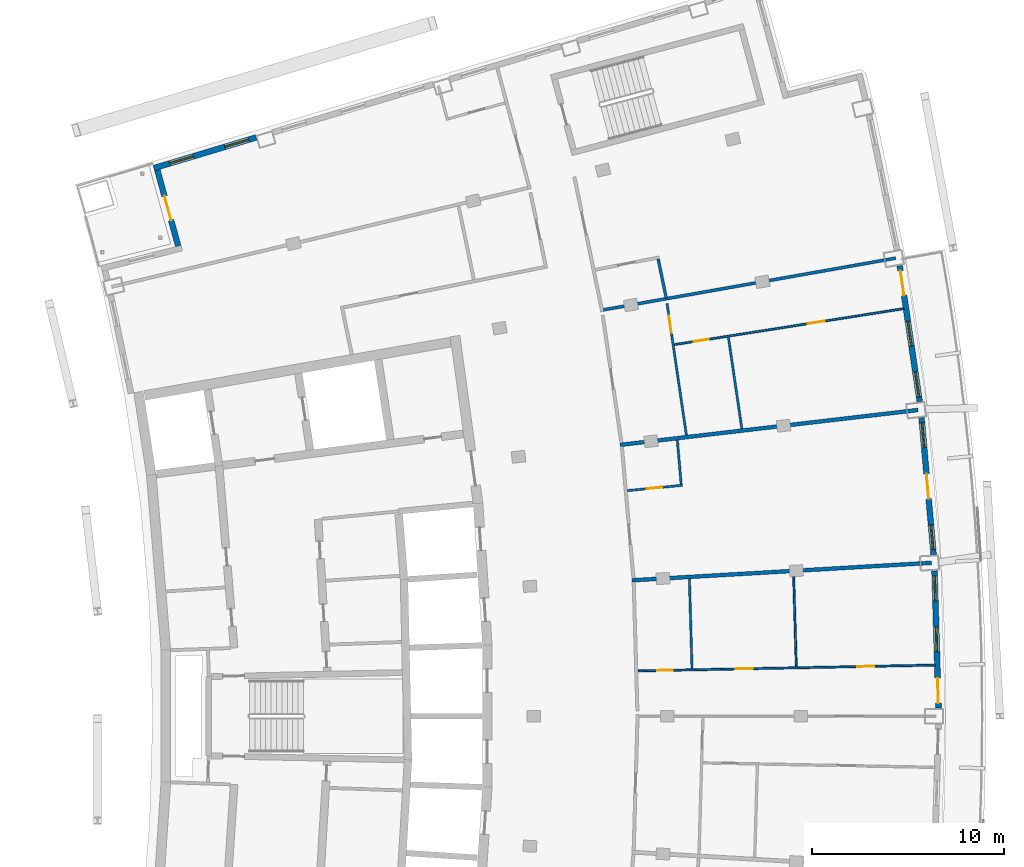
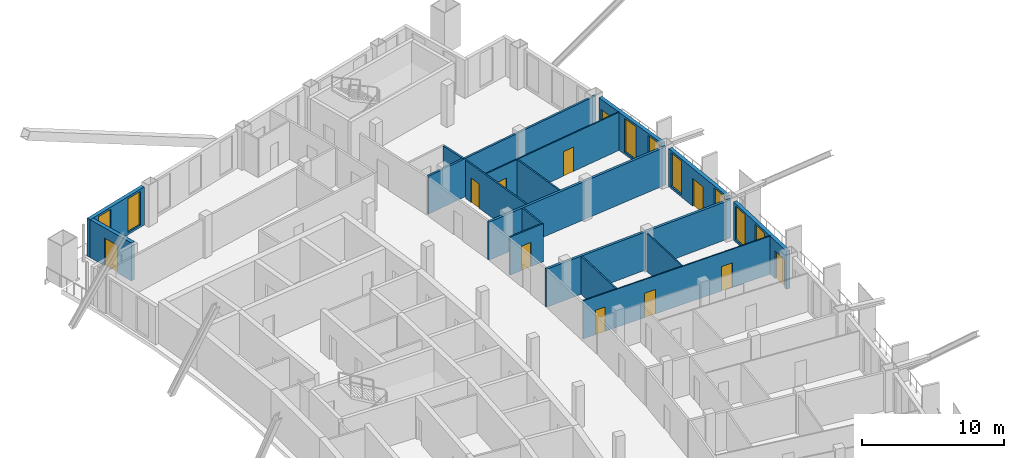
# One storey, part 12 of 17: 17 walls, 11 doors, 8 windows, 19 openings.
"""IFC4 building model written with IfcOpenShell, lengths in metres."""

from ifc_helpers import new_model, si_unit, direction, frame, frame_2d, origin, place, context, subcontext, project, spatial, rectangle, extrude, material, layer, layer_set, type_object, element, fill, save


model = new_model("IFC4")

# Units and contexts
model_context = context("Model", 3, precision=1e-05, world=origin(), true_north=direction((0.0, 1.0)))
body_context = subcontext(model_context, "Body", "Model", "MODEL_VIEW")
ifc_project = project(units=[si_unit("LENGTHUNIT", "METRE"), si_unit("AREAUNIT", "SQUARE_METRE"), si_unit("VOLUMEUNIT", "CUBIC_METRE"), si_unit("PLANEANGLEUNIT", "RADIAN"), si_unit("MASSUNIT", "GRAM", prefix="KILO")], contexts=[model_context])

# Site, building, storey
site_placement = place(None, origin())
site = spatial("IfcSite", under=ifc_project, at=site_placement, CompositionType="ELEMENT")
building_placement = place(site_placement, origin())
building = spatial("IfcBuilding", under=site, at=building_placement, Name="Alderwake Tower", CompositionType="ELEMENT")
storey_placement = place(building_placement, frame((0.0, 0.0, 256.39990234375)))
storey = spatial("IfcBuildingStorey", under=building, at=storey_placement, Name="L63", CompositionType="ELEMENT", Elevation=256.39990234375)

# Wall
ifc_material_1 = material(Name="Gypsum board on metal studs, rated")
ifc_layer_1 = layer(ifc_material_1, 0.159912109375)
ifc_layer_set_1 = layer_set([ifc_layer_1], Name="Corridor wall 160")
wall_type_1 = type_object("IfcWallType", Name="Corridor wall 160", PredefinedType="PARTITIONING", material=ifc_layer_set_1)
wall_1_placement = place(storey_placement, frame((54.612060546875, 84.801025390625, 0.0), z_axis=(0.0, 0.0, 1.0), x_axis=(-0.984713831022, -0.174179995963, 0.0)))
element("IfcWall", 1, at=wall_1_placement, inside=storey, type_object=wall_type_1, Name="WL/L63/W27", PredefinedType="PARTITIONING", context=body_context, shape_type="SweptSolid", body=[
    extrude(rectangle(XDim=15.421142578125, YDim=0.159912109375, at=frame_2d((7.71044921875, 0.0))), origin(), (0.0, 0.0, 1.0), 3.280029296875),
])

# Wall, openings, door, windows
ifc_material_2 = material(Name="Precast concrete C50/60 spandrel panel", Category="concrete")
ifc_layer_2 = layer(ifc_material_2, 0.300048828125)
ifc_layer_set_2 = layer_set([ifc_layer_2], Name="External wall EW1 Precast concrete C50/60 spandrel")
wall_type_2 = type_object("IfcWallType", Name="External wall EW1 Precast concrete C50/60 spandrel", PredefinedType="SOLIDWALL", material=ifc_layer_set_2)
wall_2_placement = place(storey_placement, frame((56.837646484375, 61.42138671875, 0.0), z_axis=(0.0, 0.0, 1.0), x_axis=(-0.029172920449, 0.99957437978, 0.0)))
wall_2 = element("IfcWall", 2, at=wall_2_placement, inside=storey, type_object=wall_type_2, Name="External wall 16", PredefinedType="SOLIDWALL", context=body_context, shape_type="SweptSolid", body=[
    extrude(rectangle(XDim=7.138427734375, YDim=0.300048828125, at=frame_2d((3.5693359375, 0.0))), origin(), (0.0, 0.0, 1.0), 3.280029296875),
])
opening_1_placement = place(wall_2_placement, frame((0.263427734375, 0.0, 0.0)))
opening_1 = element("IfcOpeningElement", 3, at=opening_1_placement, cuts=wall_2, Name="Opening D06", PredefinedType="OPENING", context=body_context, shape_type="SweptSolid", body=[
    extrude(rectangle(XDim=1.300048828125, YDim=2.39990234375, at=frame_2d((0.64990234375, 1.199951171875))), frame((0.0, 0.159912109375, 0.0), z_axis=(0.0, -1.0, 0.0), x_axis=(1.0, 0.0, 0.0)), (0.0, 0.0, 1.0), 0.320068359375),
])
opening_2_placement = place(wall_2_placement, frame((2.919189453125, 0.0, 0.199951171875)))
opening_2 = element("IfcOpeningElement", 4, at=opening_2_placement, cuts=wall_2, Name="Opening W1", PredefinedType="OPENING", context=body_context, shape_type="SweptSolid", body=[
    extrude(rectangle(XDim=1.300048828125, YDim=2.89990234375, at=frame_2d((0.64990234375, 1.449951171875))), frame((0.0, 0.159912109375, 0.0), z_axis=(0.0, -1.0, 0.0), x_axis=(1.0, 0.0, 0.0)), (0.0, 0.0, 1.0), 0.320068359375),
])
opening_3_placement = place(wall_2_placement, frame((5.574951171875, 0.0, 0.199951171875)))
opening_3 = element("IfcOpeningElement", 5, at=opening_3_placement, cuts=wall_2, Name="Opening W1", PredefinedType="OPENING", context=body_context, shape_type="SweptSolid", body=[
    extrude(rectangle(XDim=1.300048828125, YDim=2.89990234375, at=frame_2d((0.64990234375, 1.449951171875))), frame((0.0, 0.159912109375, 0.0), z_axis=(0.0, -1.0, 0.0), x_axis=(1.0, 0.0, 0.0)), (0.0, 0.0, 1.0), 0.320068359375),
])
ifc_material_3 = material(Name="Bronze tinted glass in aluminium frame", Category="aluminium")
door_type_1 = type_object("IfcDoorType", Name="Balcony door BD sliding", OperationType="SLIDING_TO_LEFT", PredefinedType="DOOR", material=ifc_material_3)
door_1_placement = place(opening_1_placement, origin())
door_1 = element("IfcDoor", 6, at=door_1_placement, inside=storey, type_object=door_type_1, Name="Door D06", OperationType="SLIDING_TO_LEFT", OverallHeight=2.39990234375, OverallWidth=1.300048828125, PredefinedType="DOOR", context=body_context, shape_type="SweptSolid", body=[
    extrude(rectangle(XDim=1.300048828125, YDim=2.39990234375, at=frame_2d((0.64990234375, 1.199951171875))), frame((0.0, 0.02490234375, 0.0), z_axis=(0.0, -1.0, 0.0), x_axis=(1.0, 0.0, 0.0)), (0.0, 0.0, 1.0), 0.050048828125),
])
fill(opening_1, door_1)
ifc_material_4 = material(Name="Bronze tinted glass in aluminium frame", Category="aluminium")
window_type = type_object("IfcWindowType", Name="Window W1 tall fixed and vent", PartitioningType="DOUBLE_PANEL_VERTICAL", PredefinedType="WINDOW", material=ifc_material_4)
window_1_placement = place(opening_2_placement, origin())
window_1 = element("IfcWindow", 7, at=window_1_placement, inside=storey, type_object=window_type, Name="Window W1 tall fixed and vent", OverallHeight=2.89990234375, OverallWidth=1.300048828125, PartitioningType="DOUBLE_PANEL_VERTICAL", PredefinedType="WINDOW", context=body_context, shape_type="SweptSolid", body=[
    extrude(rectangle(XDim=1.300048828125, YDim=2.89990234375, at=frame_2d((0.64990234375, 1.449951171875))), frame((0.0, 0.030029296875, 0.0), z_axis=(0.0, -1.0, 0.0), x_axis=(1.0, 0.0, 0.0)), (0.0, 0.0, 1.0), 0.06005859375),
])
fill(opening_2, window_1)
window_2_placement = place(opening_3_placement, origin())
window_2 = element("IfcWindow", 8, at=window_2_placement, inside=storey, type_object=window_type, Name="Window W1 tall fixed and vent", OverallHeight=2.89990234375, OverallWidth=1.300048828125, PartitioningType="DOUBLE_PANEL_VERTICAL", PredefinedType="WINDOW", context=body_context, shape_type="SweptSolid", body=[
    extrude(rectangle(XDim=1.300048828125, YDim=2.89990234375, at=frame_2d((0.64990234375, 1.449951171875))), frame((0.0, 0.030029296875, 0.0), z_axis=(0.0, -1.0, 0.0), x_axis=(1.0, 0.0, 0.0)), (0.0, 0.0, 1.0), 0.06005859375),
])
fill(opening_3, window_2)

wall_3_placement = place(storey_placement, frame((56.580322265625, 69.3984375, 0.0), z_axis=(0.0, 0.0, 1.0), x_axis=(-0.087383747715, 0.996174723949, 0.0)))
wall_3 = element("IfcWall", 9, at=wall_3_placement, inside=storey, type_object=wall_type_2, Name="External wall 17", PredefinedType="SOLIDWALL", context=body_context, shape_type="SweptSolid", body=[
    extrude(rectangle(XDim=7.138427734375, YDim=0.300048828125, at=frame_2d((3.5693359375, 0.0))), origin(), (0.0, 0.0, 1.0), 3.280029296875),
])
opening_4_placement = place(wall_3_placement, frame((0.263427734375, 0.0, 0.199951171875)))
opening_4 = element("IfcOpeningElement", 10, at=opening_4_placement, cuts=wall_3, Name="Opening W1", PredefinedType="OPENING", context=body_context, shape_type="SweptSolid", body=[
    extrude(rectangle(XDim=1.300048828125, YDim=2.89990234375, at=frame_2d((0.64990234375, 1.449951171875))), frame((0.0, 0.159912109375, 0.0), z_axis=(0.0, -1.0, 0.0), x_axis=(1.0, 0.0, 0.0)), (0.0, 0.0, 1.0), 0.320068359375),
])
opening_5_placement = place(wall_3_placement, frame((2.919189453125, 0.0, 0.0)))
opening_5 = element("IfcOpeningElement", 11, at=opening_5_placement, cuts=wall_3, Name="Opening D07", PredefinedType="OPENING", context=body_context, shape_type="SweptSolid", body=[
    extrude(rectangle(XDim=1.300048828125, YDim=2.39990234375, at=frame_2d((0.64990234375, 1.199951171875))), frame((0.0, 0.159912109375, 0.0), z_axis=(0.0, -1.0, 0.0), x_axis=(1.0, 0.0, 0.0)), (0.0, 0.0, 1.0), 0.320068359375),
])
opening_6_placement = place(wall_3_placement, frame((5.574951171875, 0.0, 0.199951171875)))
opening_6 = element("IfcOpeningElement", 12, at=opening_6_placement, cuts=wall_3, Name="Opening W1", PredefinedType="OPENING", context=body_context, shape_type="SweptSolid", body=[
    extrude(rectangle(XDim=1.300048828125, YDim=2.89990234375, at=frame_2d((0.64990234375, 1.449951171875))), frame((0.0, 0.159912109375, 0.0), z_axis=(0.0, -1.0, 0.0), x_axis=(1.0, 0.0, 0.0)), (0.0, 0.0, 1.0), 0.320068359375),
])
door_2_placement = place(opening_5_placement, origin())
door_2 = element("IfcDoor", 13, at=door_2_placement, inside=storey, type_object=door_type_1, Name="Door D07", OperationType="SLIDING_TO_LEFT", OverallHeight=2.39990234375, OverallWidth=1.300048828125, PredefinedType="DOOR", context=body_context, shape_type="SweptSolid", body=[
    extrude(rectangle(XDim=1.300048828125, YDim=2.39990234375, at=frame_2d((0.64990234375, 1.199951171875))), frame((0.0, 0.02490234375, 0.0), z_axis=(0.0, -1.0, 0.0), x_axis=(1.0, 0.0, 0.0)), (0.0, 0.0, 1.0), 0.050048828125),
])
fill(opening_5, door_2)
window_3_placement = place(opening_4_placement, origin())
window_3 = element("IfcWindow", 14, at=window_3_placement, inside=storey, type_object=window_type, Name="Window W1 tall fixed and vent", OverallHeight=2.89990234375, OverallWidth=1.300048828125, PartitioningType="DOUBLE_PANEL_VERTICAL", PredefinedType="WINDOW", context=body_context, shape_type="SweptSolid", body=[
    extrude(rectangle(XDim=1.300048828125, YDim=2.89990234375, at=frame_2d((0.64990234375, 1.449951171875))), frame((0.0, 0.030029296875, 0.0), z_axis=(0.0, -1.0, 0.0), x_axis=(1.0, 0.0, 0.0)), (0.0, 0.0, 1.0), 0.06005859375),
])
fill(opening_4, window_3)
window_4_placement = place(opening_6_placement, origin())
window_4 = element("IfcWindow", 15, at=window_4_placement, inside=storey, type_object=window_type, Name="Window W1 tall fixed and vent", OverallHeight=2.89990234375, OverallWidth=1.300048828125, PartitioningType="DOUBLE_PANEL_VERTICAL", PredefinedType="WINDOW", context=body_context, shape_type="SweptSolid", body=[
    extrude(rectangle(XDim=1.300048828125, YDim=2.89990234375, at=frame_2d((0.64990234375, 1.449951171875))), frame((0.0, 0.030029296875, 0.0), z_axis=(0.0, -1.0, 0.0), x_axis=(1.0, 0.0, 0.0)), (0.0, 0.0, 1.0), 0.06005859375),
])
fill(opening_6, window_4)

wall_4_placement = place(storey_placement, frame((55.8583984375, 77.3466796875, 0.0), z_axis=(0.0, 0.0, 1.0), x_axis=(-0.145317744338, 0.98938503788, 0.0)))
wall_4 = element("IfcWall", 16, at=wall_4_placement, inside=storey, type_object=wall_type_2, Name="External wall 18", PredefinedType="SOLIDWALL", context=body_context, shape_type="SweptSolid", body=[
    extrude(rectangle(XDim=7.138427734375, YDim=0.300048828125, at=frame_2d((3.5693359375, 0.0))), origin(), (0.0, 0.0, 1.0), 3.280029296875),
])
opening_7_placement = place(wall_4_placement, frame((0.263427734375, 0.0, 0.199951171875)))
opening_7 = element("IfcOpeningElement", 17, at=opening_7_placement, cuts=wall_4, Name="Opening W1", PredefinedType="OPENING", context=body_context, shape_type="SweptSolid", body=[
    extrude(rectangle(XDim=1.300048828125, YDim=2.89990234375, at=frame_2d((0.64990234375, 1.449951171875))), frame((0.0, 0.159912109375, 0.0), z_axis=(0.0, -1.0, 0.0), x_axis=(1.0, 0.0, 0.0)), (0.0, 0.0, 1.0), 0.320068359375),
])
opening_8_placement = place(wall_4_placement, frame((2.919189453125, 0.0, 0.199951171875)))
opening_8 = element("IfcOpeningElement", 18, at=opening_8_placement, cuts=wall_4, Name="Opening W1", PredefinedType="OPENING", context=body_context, shape_type="SweptSolid", body=[
    extrude(rectangle(XDim=1.300048828125, YDim=2.89990234375, at=frame_2d((0.64990234375, 1.449951171875))), frame((0.0, 0.159912109375, 0.0), z_axis=(0.0, -1.0, 0.0), x_axis=(1.0, 0.0, 0.0)), (0.0, 0.0, 1.0), 0.320068359375),
])
opening_9_placement = place(wall_4_placement, frame((5.574951171875, 0.0, 0.0)))
opening_9 = element("IfcOpeningElement", 19, at=opening_9_placement, cuts=wall_4, Name="Opening D08", PredefinedType="OPENING", context=body_context, shape_type="SweptSolid", body=[
    extrude(rectangle(XDim=1.300048828125, YDim=2.39990234375, at=frame_2d((0.64990234375, 1.199951171875))), frame((0.0, 0.159912109375, 0.0), z_axis=(0.0, -1.0, 0.0), x_axis=(1.0, 0.0, 0.0)), (0.0, 0.0, 1.0), 0.320068359375),
])
door_3_placement = place(opening_9_placement, origin())
door_3 = element("IfcDoor", 20, at=door_3_placement, inside=storey, type_object=door_type_1, Name="Door D08", OperationType="SLIDING_TO_LEFT", OverallHeight=2.39990234375, OverallWidth=1.300048828125, PredefinedType="DOOR", context=body_context, shape_type="SweptSolid", body=[
    extrude(rectangle(XDim=1.300048828125, YDim=2.39990234375, at=frame_2d((0.64990234375, 1.199951171875))), frame((0.0, 0.02490234375, 0.0), z_axis=(0.0, -1.0, 0.0), x_axis=(1.0, 0.0, 0.0)), (0.0, 0.0, 1.0), 0.050048828125),
])
fill(opening_9, door_3)
window_5_placement = place(opening_7_placement, origin())
window_5 = element("IfcWindow", 21, at=window_5_placement, inside=storey, type_object=window_type, Name="Window W1 tall fixed and vent", OverallHeight=2.89990234375, OverallWidth=1.300048828125, PartitioningType="DOUBLE_PANEL_VERTICAL", PredefinedType="WINDOW", context=body_context, shape_type="SweptSolid", body=[
    extrude(rectangle(XDim=1.300048828125, YDim=2.89990234375, at=frame_2d((0.64990234375, 1.449951171875))), frame((0.0, 0.030029296875, 0.0), z_axis=(0.0, -1.0, 0.0), x_axis=(1.0, 0.0, 0.0)), (0.0, 0.0, 1.0), 0.06005859375),
])
fill(opening_7, window_5)
window_6_placement = place(opening_8_placement, origin())
window_6 = element("IfcWindow", 22, at=window_6_placement, inside=storey, type_object=window_type, Name="Window W1 tall fixed and vent", OverallHeight=2.89990234375, OverallWidth=1.300048828125, PartitioningType="DOUBLE_PANEL_VERTICAL", PredefinedType="WINDOW", context=body_context, shape_type="SweptSolid", body=[
    extrude(rectangle(XDim=1.300048828125, YDim=2.89990234375, at=frame_2d((0.64990234375, 1.449951171875))), frame((0.0, 0.030029296875, 0.0), z_axis=(0.0, -1.0, 0.0), x_axis=(1.0, 0.0, 0.0)), (0.0, 0.0, 1.0), 0.06005859375),
])
fill(opening_8, window_6)

# Wall, openings, windows
ifc_material_5 = material(Name="Bronze metal cladding on lightweight framing")
ifc_layer_3 = layer(ifc_material_5, 0.300048828125)
ifc_layer_set_3 = layer_set([ifc_layer_3], Name="External wall EW2 bronze metal cladding")
wall_type_3 = type_object("IfcWallType", Name="External wall EW2 bronze metal cladding", PredefinedType="SOLIDWALL", material=ifc_layer_set_3)
wall_5_placement = place(storey_placement, frame((21.380859375, 91.072021484375, 0.0), z_axis=(0.0, 0.0, 1.0), x_axis=(-0.957769358194, -0.287537574074, 0.0)))
wall_5 = element("IfcWall", 23, at=wall_5_placement, inside=storey, type_object=wall_type_3, Name="External wall 27", PredefinedType="SOLIDWALL", context=body_context, shape_type="SweptSolid", body=[
    extrude(rectangle(XDim=5.549560546875, YDim=0.300048828125, at=frame_2d((2.77490234375, 0.0))), origin(), (0.0, 0.0, 1.0), 3.280029296875),
])
opening_10_placement = place(wall_5_placement, frame((0.3984375, 0.0, 0.199951171875)))
opening_10 = element("IfcOpeningElement", 24, at=opening_10_placement, cuts=wall_5, Name="Opening W1", PredefinedType="OPENING", context=body_context, shape_type="SweptSolid", body=[
    extrude(rectangle(XDim=1.300048828125, YDim=2.89990234375, at=frame_2d((0.64990234375, 1.449951171875))), frame((0.0, 0.159912109375, 0.0), z_axis=(0.0, -1.0, 0.0), x_axis=(1.0, 0.0, 0.0)), (0.0, 0.0, 1.0), 0.320068359375),
])
opening_11_placement = place(wall_5_placement, frame((3.399169921875, 0.0, 0.199951171875)))
opening_11 = element("IfcOpeningElement", 25, at=opening_11_placement, cuts=wall_5, Name="Opening W1", PredefinedType="OPENING", context=body_context, shape_type="SweptSolid", body=[
    extrude(rectangle(XDim=1.300048828125, YDim=2.89990234375, at=frame_2d((0.64990234375, 1.449951171875))), frame((0.0, 0.159912109375, 0.0), z_axis=(0.0, -1.0, 0.0), x_axis=(1.0, 0.0, 0.0)), (0.0, 0.0, 1.0), 0.320068359375),
])
window_7_placement = place(opening_10_placement, origin())
window_7 = element("IfcWindow", 26, at=window_7_placement, inside=storey, type_object=window_type, Name="Window W1 tall fixed and vent", OverallHeight=2.89990234375, OverallWidth=1.300048828125, PartitioningType="DOUBLE_PANEL_VERTICAL", PredefinedType="WINDOW", context=body_context, shape_type="SweptSolid", body=[
    extrude(rectangle(XDim=1.300048828125, YDim=2.89990234375, at=frame_2d((0.64990234375, 1.449951171875))), frame((0.0, 0.030029296875, 0.0), z_axis=(0.0, -1.0, 0.0), x_axis=(1.0, 0.0, 0.0)), (0.0, 0.0, 1.0), 0.06005859375),
])
fill(opening_10, window_7)
window_8_placement = place(opening_11_placement, origin())
window_8 = element("IfcWindow", 27, at=window_8_placement, inside=storey, type_object=window_type, Name="Window W1 tall fixed and vent", OverallHeight=2.89990234375, OverallWidth=1.300048828125, PartitioningType="DOUBLE_PANEL_VERTICAL", PredefinedType="WINDOW", context=body_context, shape_type="SweptSolid", body=[
    extrude(rectangle(XDim=1.300048828125, YDim=2.89990234375, at=frame_2d((0.64990234375, 1.449951171875))), frame((0.0, 0.030029296875, 0.0), z_axis=(0.0, -1.0, 0.0), x_axis=(1.0, 0.0, 0.0)), (0.0, 0.0, 1.0), 0.06005859375),
])
fill(opening_11, window_8)

# Wall, opening, door
wall_6_placement = place(storey_placement, frame((16.248779296875, 89.374755859375, 0.0), z_axis=(0.0, 0.0, 1.0), x_axis=(0.264607053468, -0.964356317579, 0.0)))
wall_6 = element("IfcWall", 28, at=wall_6_placement, inside=storey, type_object=wall_type_3, Name="External wall 28", PredefinedType="SOLIDWALL", context=body_context, shape_type="SweptSolid", body=[
    extrude(rectangle(XDim=4.090087890625, YDim=0.300048828125, at=frame_2d((2.044921875, 0.0))), origin(), (0.0, 0.0, 1.0), 3.280029296875),
])
opening_12_placement = place(wall_6_placement, frame((1.39501953125, 0.0, 0.0)))
opening_12 = element("IfcOpeningElement", 29, at=opening_12_placement, cuts=wall_6, Name="Opening D09", PredefinedType="OPENING", context=body_context, shape_type="SweptSolid", body=[
    extrude(rectangle(XDim=1.300048828125, YDim=2.39990234375, at=frame_2d((0.64990234375, 1.199951171875))), frame((0.0, 0.159912109375, 0.0), z_axis=(0.0, -1.0, 0.0), x_axis=(1.0, 0.0, 0.0)), (0.0, 0.0, 1.0), 0.320068359375),
])
door_4_placement = place(opening_12_placement, origin())
door_4 = element("IfcDoor", 30, at=door_4_placement, inside=storey, type_object=door_type_1, Name="Door D09", OperationType="SLIDING_TO_LEFT", OverallHeight=2.39990234375, OverallWidth=1.300048828125, PredefinedType="DOOR", context=body_context, shape_type="SweptSolid", body=[
    extrude(rectangle(XDim=1.300048828125, YDim=2.39990234375, at=frame_2d((0.64990234375, 1.199951171875))), frame((0.0, 0.02490234375, 0.0), z_axis=(0.0, -1.0, 0.0), x_axis=(1.0, 0.0, 0.0)), (0.0, 0.0, 1.0), 0.050048828125),
])
fill(opening_12, door_4)

# Walls
ifc_material_6 = material(Name="Dense block masonry wall", Category="masonry")
ifc_layer_4 = layer(ifc_material_6, 0.199951171875)
ifc_layer_set_4 = layer_set([ifc_layer_4], Name="Party wall 200")
wall_type_4 = type_object("IfcWallType", Name="Party wall 200", PredefinedType="SOLIDWALL", material=ifc_layer_set_4)
wall_7_placement = place(storey_placement, frame((40.297607421875, 75.0986328125, 0.0), z_axis=(0.0, 0.0, 1.0), x_axis=(0.993210273731, 0.116332936677, 0.0)))
element("IfcWall", 31, at=wall_7_placement, inside=storey, type_object=wall_type_4, Name="WL/L63/W02", PredefinedType="SOLIDWALL", context=body_context, shape_type="SweptSolid", body=[
    extrude(rectangle(XDim=15.578125, YDim=0.199951171875, at=frame_2d((7.7890625, 0.0))), origin(), (0.0, 0.0, 1.0), 3.280029296875),
])
wall_8_placement = place(storey_placement, frame((56.466064453125, 68.969970703125, 0.0), z_axis=(0.0, 0.0, 1.0), x_axis=(-0.998300806671, -0.058270913845, 0.0)))
element("IfcWall", 32, at=wall_8_placement, inside=storey, type_object=wall_type_4, Name="WL/L63/W04", PredefinedType="SOLIDWALL", context=body_context, shape_type="SweptSolid", body=[
    extrude(rectangle(XDim=15.577392578125, YDim=0.199951171875, at=frame_2d((7.78857421875, 0.0))), origin(), (0.0, 0.0, 1.0), 3.280029296875),
])
ifc_material_7 = material(Name="Gypsum shaft wall system, rated")
ifc_layer_5 = layer(ifc_material_7, 0.14990234375)
ifc_layer_set_5 = layer_set([ifc_layer_5], Name="Riser and shaft wall 150")
wall_type_5 = type_object("IfcWallType", Name="Riser and shaft wall 150", PredefinedType="PARTITIONING", material=ifc_layer_set_5)
wall_9_placement = place(storey_placement, frame((42.69189453125, 82.714599609375, 0.0), z_axis=(0.0, 0.0, 1.0), x_axis=(-0.202423435623, 0.979298091855, 0.0)))
element("IfcWall", 33, at=wall_9_placement, inside=storey, type_object=wall_type_5, Name="WL/L63/W08", PredefinedType="PARTITIONING", context=body_context, shape_type="SweptSolid", body=[
    extrude(rectangle(XDim=2.0830078125, YDim=0.14990234375, at=frame_2d((1.04150390625, 0.0))), origin(), (0.0, 0.0, 1.0), 3.280029296875),
])

# Wall, openings, doors
ifc_material_8 = material(Name="Gypsum board on metal studs")
ifc_layer_6 = layer(ifc_material_8, 0.10009765625)
ifc_layer_set_6 = layer_set([ifc_layer_6], Name="Unit partition 100")
wall_type_6 = type_object("IfcWallType", Name="Unit partition 100", PredefinedType="PARTITIONING", material=ifc_layer_set_6)
wall_10_placement = place(storey_placement, frame((41.2099609375, 63.355712890625, 0.0), z_axis=(0.0, 0.0, 1.0), x_axis=(0.999810180872, 0.019483383286, 0.0)))
wall_10 = element("IfcWall", 34, at=wall_10_placement, inside=storey, type_object=wall_type_6, Name="WL/L63/W46", PredefinedType="PARTITIONING", context=body_context, shape_type="SweptSolid", body=[
    extrude(rectangle(XDim=15.462890625, YDim=0.10009765625, at=frame_2d((7.7314453125, 0.0))), origin(), (0.0, 0.0, 1.0), 3.280029296875),
])
opening_13_placement = place(wall_10_placement, frame((5.079833984375, 0.0, 0.0)))
opening_13 = element("IfcOpeningElement", 35, at=opening_13_placement, cuts=wall_10, Name="Opening R18-U05.5", PredefinedType="OPENING", context=body_context, shape_type="SweptSolid", body=[
    extrude(rectangle(XDim=0.89990234375, YDim=2.10009765625, at=frame_2d((0.449951171875, 1.050048828125))), frame((0.0, 0.06005859375, 0.0), z_axis=(0.0, -1.0, 0.0), x_axis=(1.0, 0.0, 0.0)), (0.0, 0.0, 1.0), 0.1201171875),
])
opening_14_placement = place(wall_10_placement, frame((1.010009765625, 0.0, 0.0)))
opening_14 = element("IfcOpeningElement", 36, at=opening_14_placement, cuts=wall_10, Name="Opening R18-U05.6", PredefinedType="OPENING", context=body_context, shape_type="SweptSolid", body=[
    extrude(rectangle(XDim=0.800048828125, YDim=2.10009765625, at=frame_2d((0.39990234375, 1.050048828125))), frame((0.0, 0.06005859375, 0.0), z_axis=(0.0, -1.0, 0.0), x_axis=(1.0, 0.0, 0.0)), (0.0, 0.0, 1.0), 0.1201171875),
])
opening_15_placement = place(wall_10_placement, frame((11.401123046875, 0.0, 0.0)))
opening_15 = element("IfcOpeningElement", 37, at=opening_15_placement, cuts=wall_10, Name="Opening R18-U05.7", PredefinedType="OPENING", context=body_context, shape_type="SweptSolid", body=[
    extrude(rectangle(XDim=0.89990234375, YDim=2.10009765625, at=frame_2d((0.449951171875, 1.050048828125))), frame((0.0, 0.06005859375, 0.0), z_axis=(0.0, -1.0, 0.0), x_axis=(1.0, 0.0, 0.0)), (0.0, 0.0, 1.0), 0.1201171875),
])
ifc_material_9 = material(Name="Painted timber leaf", Category="wood")
door_type_2 = type_object("IfcDoorType", Name="Bathroom door 800", OperationType="SINGLE_SWING_LEFT", PredefinedType="DOOR", material=ifc_material_9)
door_5_placement = place(opening_14_placement, origin())
door_5 = element("IfcDoor", 38, at=door_5_placement, inside=storey, type_object=door_type_2, Name="DR/L63/U05.6", OperationType="SINGLE_SWING_LEFT", OverallHeight=2.10009765625, OverallWidth=0.800048828125, PredefinedType="DOOR", context=body_context, shape_type="SweptSolid", body=[
    extrude(rectangle(XDim=0.800048828125, YDim=2.10009765625, at=frame_2d((0.39990234375, 1.050048828125))), frame((0.0, 0.02490234375, 0.0), z_axis=(0.0, -1.0, 0.0), x_axis=(1.0, 0.0, 0.0)), (0.0, 0.0, 1.0), 0.050048828125),
])
fill(opening_14, door_5)
ifc_material_10 = material(Name="Painted timber leaf", Category="wood")
door_type_3 = type_object("IfcDoorType", Name="Room door 900", OperationType="SINGLE_SWING_LEFT", PredefinedType="DOOR", material=ifc_material_10)
door_6_placement = place(opening_13_placement, origin())
door_6 = element("IfcDoor", 39, at=door_6_placement, inside=storey, type_object=door_type_3, Name="DR/L63/U05.5", OperationType="SINGLE_SWING_LEFT", OverallHeight=2.10009765625, OverallWidth=0.89990234375, PredefinedType="DOOR", context=body_context, shape_type="SweptSolid", body=[
    extrude(rectangle(XDim=0.89990234375, YDim=2.10009765625, at=frame_2d((0.449951171875, 1.050048828125))), frame((0.0, 0.02490234375, 0.0), z_axis=(0.0, -1.0, 0.0), x_axis=(1.0, 0.0, 0.0)), (0.0, 0.0, 1.0), 0.050048828125),
])
fill(opening_13, door_6)
door_7_placement = place(opening_15_placement, origin())
door_7 = element("IfcDoor", 40, at=door_7_placement, inside=storey, type_object=door_type_3, Name="DR/L63/U05.7", OperationType="SINGLE_SWING_LEFT", OverallHeight=2.10009765625, OverallWidth=0.89990234375, PredefinedType="DOOR", context=body_context, shape_type="SweptSolid", body=[
    extrude(rectangle(XDim=0.89990234375, YDim=2.10009765625, at=frame_2d((0.449951171875, 1.050048828125))), frame((0.0, 0.02490234375, 0.0), z_axis=(0.0, -1.0, 0.0), x_axis=(1.0, 0.0, 0.0)), (0.0, 0.0, 1.0), 0.050048828125),
])
fill(opening_15, door_7)

wall_11_placement = place(storey_placement, frame((55.047119140625, 82.178955078125, 0.0), z_axis=(0.0, 0.0, 1.0), x_axis=(-0.987932259754, -0.15488657184, 0.0)))
wall_11 = element("IfcWall", 41, at=wall_11_placement, inside=storey, type_object=wall_type_6, Name="WL/L63/W49", PredefinedType="PARTITIONING", context=body_context, shape_type="SweptSolid", body=[
    extrude(rectangle(XDim=12.08349609375, YDim=0.10009765625, at=frame_2d((6.041748046875, 0.0))), origin(), (0.0, 0.0, 1.0), 3.280029296875),
])
opening_16_placement = place(wall_11_placement, frame((10.2646484375, 0.0, 0.0)))
opening_16 = element("IfcOpeningElement", 42, at=opening_16_placement, cuts=wall_11, Name="Opening R18-U07.3", PredefinedType="OPENING", context=body_context, shape_type="SweptSolid", body=[
    extrude(rectangle(XDim=0.800048828125, YDim=2.10009765625, at=frame_2d((0.39990234375, 1.050048828125))), frame((0.0, 0.06005859375, 0.0), z_axis=(0.0, -1.0, 0.0), x_axis=(1.0, 0.0, 0.0)), (0.0, 0.0, 1.0), 0.1201171875),
])
opening_17_placement = place(wall_11_placement, frame((4.17333984375, 0.0, 0.0)))
opening_17 = element("IfcOpeningElement", 43, at=opening_17_placement, cuts=wall_11, Name="Opening R18-U07.4", PredefinedType="OPENING", context=body_context, shape_type="SweptSolid", body=[
    extrude(rectangle(XDim=0.89990234375, YDim=2.10009765625, at=frame_2d((0.449951171875, 1.050048828125))), frame((0.0, 0.06005859375, 0.0), z_axis=(0.0, -1.0, 0.0), x_axis=(1.0, 0.0, 0.0)), (0.0, 0.0, 1.0), 0.1201171875),
])
door_8_placement = place(opening_16_placement, origin())
door_8 = element("IfcDoor", 44, at=door_8_placement, inside=storey, type_object=door_type_2, Name="DR/L63/U07.3", OperationType="SINGLE_SWING_LEFT", OverallHeight=2.10009765625, OverallWidth=0.800048828125, PredefinedType="DOOR", context=body_context, shape_type="SweptSolid", body=[
    extrude(rectangle(XDim=0.800048828125, YDim=2.10009765625, at=frame_2d((0.39990234375, 1.050048828125))), frame((0.0, 0.02490234375, 0.0), z_axis=(0.0, -1.0, 0.0), x_axis=(1.0, 0.0, 0.0)), (0.0, 0.0, 1.0), 0.050048828125),
])
fill(opening_16, door_8)
door_9_placement = place(opening_17_placement, origin())
door_9 = element("IfcDoor", 45, at=door_9_placement, inside=storey, type_object=door_type_3, Name="DR/L63/U07.4", OperationType="SINGLE_SWING_LEFT", OverallHeight=2.10009765625, OverallWidth=0.89990234375, PredefinedType="DOOR", context=body_context, shape_type="SweptSolid", body=[
    extrude(rectangle(XDim=0.89990234375, YDim=2.10009765625, at=frame_2d((0.449951171875, 1.050048828125))), frame((0.0, 0.02490234375, 0.0), z_axis=(0.0, -1.0, 0.0), x_axis=(1.0, 0.0, 0.0)), (0.0, 0.0, 1.0), 0.050048828125),
])
fill(opening_17, door_9)

# Wall
wall_12_placement = place(storey_placement, frame((49.447509765625, 63.56591796875, 0.0), z_axis=(0.0, 0.0, 1.0), x_axis=(-0.029180270557, 0.999574165237, 0.0)))
element("IfcWall", 46, at=wall_12_placement, inside=storey, type_object=wall_type_6, Name="WL/L63/W53", PredefinedType="PARTITIONING", context=body_context, shape_type="SweptSolid", body=[
    extrude(rectangle(XDim=4.88623046875, YDim=0.10009765625, at=frame_2d((2.443115234375, 0.0))), origin(), (0.0, 0.0, 1.0), 3.280029296875),
])

# Wall, opening, door
ifc_material_11 = material(Name="Moisture resistant gypsum board on metal studs")
ifc_layer_7 = layer(ifc_material_11, 0.1201171875)
ifc_layer_set_7 = layer_set([ifc_layer_7], Name="Wet room partition 120")
wall_type_7 = type_object("IfcWallType", Name="Wet room partition 120", PredefinedType="PARTITIONING", material=ifc_layer_set_7)
wall_13_placement = place(storey_placement, frame((40.66650390625, 72.7216796875, 0.0), z_axis=(0.0, 0.0, 1.0), x_axis=(0.995349751069, 0.096326907185, 0.0)))
wall_13 = element("IfcWall", 47, at=wall_13_placement, inside=storey, type_object=wall_type_7, Name="WL/L63/W32", PredefinedType="PARTITIONING", context=body_context, shape_type="SweptSolid", body=[
    extrude(rectangle(XDim=2.876708984375, YDim=0.1201171875, at=frame_2d((1.4384765625, 0.0))), origin(), (0.0, 0.0, 1.0), 3.280029296875),
])
opening_18_placement = place(wall_13_placement, frame((1.009033203125, 0.0, 0.0)))
opening_18 = element("IfcOpeningElement", 48, at=opening_18_placement, cuts=wall_13, Name="Opening R18-U06.2", PredefinedType="OPENING", context=body_context, shape_type="SweptSolid", body=[
    extrude(rectangle(XDim=0.800048828125, YDim=2.10009765625, at=frame_2d((0.39990234375, 1.050048828125))), frame((0.0, 0.070068359375, 0.0), z_axis=(0.0, -1.0, 0.0), x_axis=(1.0, 0.0, 0.0)), (0.0, 0.0, 1.0), 0.14013671875),
])
door_10_placement = place(opening_18_placement, origin())
door_10 = element("IfcDoor", 49, at=door_10_placement, inside=storey, type_object=door_type_2, Name="DR/L63/U06.2", OperationType="SINGLE_SWING_LEFT", OverallHeight=2.10009765625, OverallWidth=0.800048828125, PredefinedType="DOOR", context=body_context, shape_type="SweptSolid", body=[
    extrude(rectangle(XDim=0.800048828125, YDim=2.10009765625, at=frame_2d((0.39990234375, 1.050048828125))), frame((0.0, 0.02490234375, 0.0), z_axis=(0.0, -1.0, 0.0), x_axis=(1.0, 0.0, 0.0)), (0.0, 0.0, 1.0), 0.050048828125),
])
fill(opening_18, door_10)

wall_14_placement = place(storey_placement, frame((42.732421875, 82.44775390625, 0.0), z_axis=(0.0, 0.0, 1.0), x_axis=(0.14528876176, -0.989389294316, 0.0)))
wall_14 = element("IfcWall", 50, at=wall_14_placement, inside=storey, type_object=wall_type_7, Name="WL/L63/W35", PredefinedType="PARTITIONING", context=body_context, shape_type="SweptSolid", body=[
    extrude(rectangle(XDim=6.918212890625, YDim=0.1201171875, at=frame_2d((3.458984375, 0.0))), origin(), (0.0, 0.0, 1.0), 3.280029296875),
])
opening_19_placement = place(wall_14_placement, frame((0.63671875, 0.0, 0.0)))
opening_19 = element("IfcOpeningElement", 51, at=opening_19_placement, cuts=wall_14, Name="Opening R18-U07.2", PredefinedType="OPENING", context=body_context, shape_type="SweptSolid", body=[
    extrude(rectangle(XDim=0.89990234375, YDim=2.10009765625, at=frame_2d((0.449951171875, 1.050048828125))), frame((0.0, 0.070068359375, 0.0), z_axis=(0.0, -1.0, 0.0), x_axis=(1.0, 0.0, 0.0)), (0.0, 0.0, 1.0), 0.14013671875),
])
door_11_placement = place(opening_19_placement, origin())
door_11 = element("IfcDoor", 52, at=door_11_placement, inside=storey, type_object=door_type_3, Name="DR/L63/U07.2", OperationType="SINGLE_SWING_LEFT", OverallHeight=2.10009765625, OverallWidth=0.89990234375, PredefinedType="DOOR", context=body_context, shape_type="SweptSolid", body=[
    extrude(rectangle(XDim=0.89990234375, YDim=2.10009765625, at=frame_2d((0.449951171875, 1.050048828125))), frame((0.0, 0.02490234375, 0.0), z_axis=(0.0, -1.0, 0.0), x_axis=(1.0, 0.0, 0.0)), (0.0, 0.0, 1.0), 0.050048828125),
])
fill(opening_19, door_11)

# Walls
wall_15_placement = place(storey_placement, frame((43.46484375, 73.052734375, 0.0), z_axis=(0.0, 0.0, 1.0), x_axis=(-0.086492397993, 0.996252510707, 0.0)))
element("IfcWall", 53, at=wall_15_placement, inside=storey, type_object=wall_type_7, Name="WL/L63/W36", PredefinedType="PARTITIONING", context=body_context, shape_type="SweptSolid", body=[
    extrude(rectangle(XDim=2.30322265625, YDim=0.1201171875, at=frame_2d((1.151611328125, 0.0))), origin(), (0.0, 0.0, 1.0), 3.280029296875),
])
wall_16_placement = place(storey_placement, frame((44.029541015625, 63.4609375, 0.0), z_axis=(0.0, 0.0, 1.0), x_axis=(-0.029237951874, 0.999572479698, 0.0)))
element("IfcWall", 54, at=wall_16_placement, inside=storey, type_object=wall_type_7, Name="WL/L63/W38", PredefinedType="PARTITIONING", context=body_context, shape_type="SweptSolid", body=[
    extrude(rectangle(XDim=4.676025390625, YDim=0.1201171875, at=frame_2d((2.337890625, 0.0))), origin(), (0.0, 0.0, 1.0), 3.280029296875),
])
wall_17_placement = place(storey_placement, frame((46.617431640625, 75.93896484375, 0.0), z_axis=(0.0, 0.0, 1.0), x_axis=(-0.145238137818, 0.989396726962, 0.0)))
element("IfcWall", 55, at=wall_17_placement, inside=storey, type_object=wall_type_7, Name="WL/L63/W42", PredefinedType="PARTITIONING", context=body_context, shape_type="SweptSolid", body=[
    extrude(rectangle(XDim=4.8076171875, YDim=0.1201171875, at=frame_2d((2.40380859375, 0.0))), origin(), (0.0, 0.0, 1.0), 3.280029296875),
])

save(model, "model.ifc")
